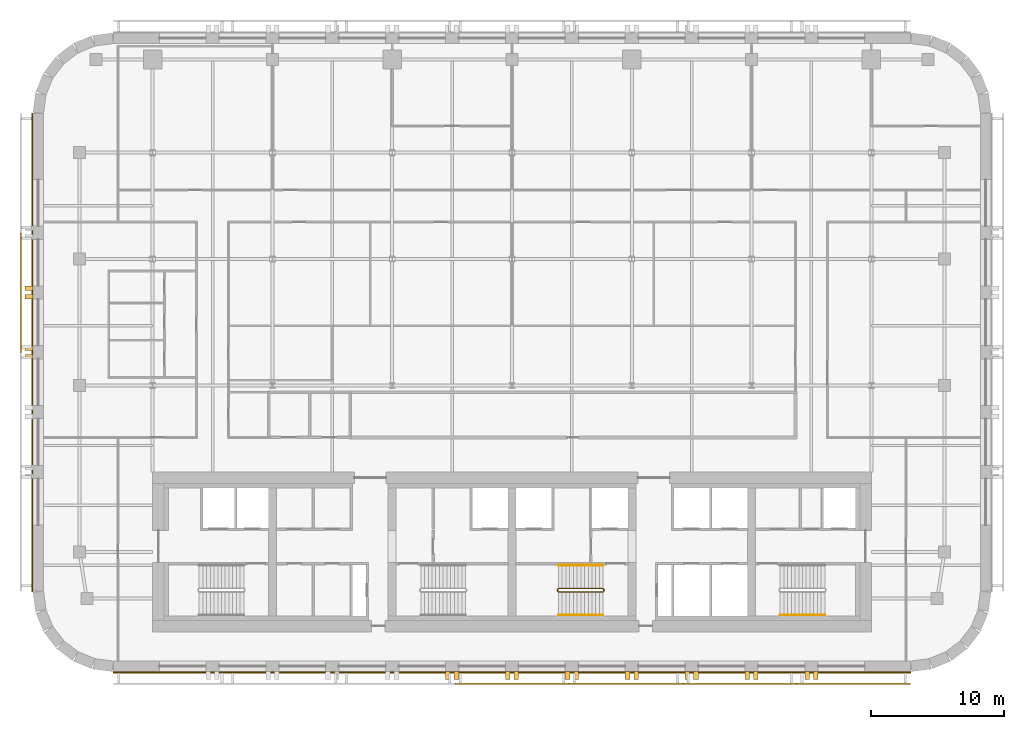
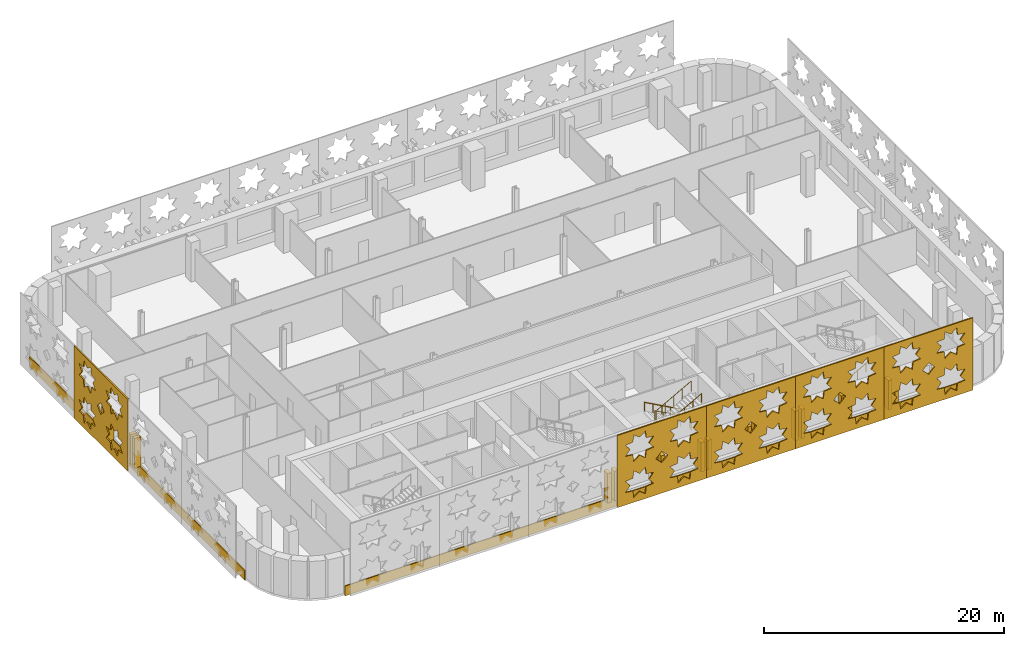
# One storey, part 10 of 12: 25 coverings, 4 railings.
"""IFC4 building model written with IfcOpenShell, lengths in metres."""

from ifc_helpers import new_model, si_unit, direction, frame, origin, origin_2d, place, context, subcontext, project, spatial, polyline, circle, outline, extrude, material, layer, layer_set, type_object, element, save


model = new_model("IFC4")

# Units and contexts
model_context = context("Model", 3, precision=1e-05, world=origin(), true_north=direction((0.0, 1.0)))
body_context = subcontext(model_context, "Body", "Model", "MODEL_VIEW")
ifc_project = project(units=[si_unit("LENGTHUNIT", "METRE"), si_unit("AREAUNIT", "SQUARE_METRE"), si_unit("VOLUMEUNIT", "CUBIC_METRE"), si_unit("PLANEANGLEUNIT", "RADIAN"), si_unit("MASSUNIT", "GRAM", prefix="KILO")], contexts=[model_context])

# Site, building, storey
site_placement = place(None, origin())
site = spatial("IfcSite", under=ifc_project, at=site_placement, CompositionType="ELEMENT")
building_placement = place(site_placement, origin())
building = spatial("IfcBuilding", under=site, at=building_placement, Name="Zellij Exchange Tower", CompositionType="ELEMENT")
storey_placement = place(building_placement, frame((0.0, 0.0, 180.5)))
storey = spatial("IfcBuildingStorey", under=building, at=storey_placement, Name="L41", CompositionType="ELEMENT", Elevation=180.5)

# Railings
ifc_material_1 = material(Name="Stainless steel", Category="steel")
railing_type_1 = type_object("IfcRailingType", Name="CORE-RG stair guard", PredefinedType="GUARDRAIL", material=ifc_material_1)
railing_1_placement = place(storey_placement, frame((6.89990234375, -10.800048828125, 0.0)))
element("IfcRailing", 1, at=railing_1_placement, inside=storey, type_object=railing_type_1, Name="ST3 stair guard L41", PredefinedType="GUARDRAIL", context=body_context, shape_type="SweptSolid", body=[
    extrude(circle(Radius=0.02392578125, at=origin_2d()), frame((0.0, 0.0, 1.076171875), z_axis=(0.0, -1.0, 0.0), x_axis=(1.0, 0.0, 0.0)), (0.0, 0.0, 1.0), 0.14990234375),
    extrude(circle(Radius=0.02392578125, at=origin_2d()), frame((0.0, -0.14990234375, 1.076171875), z_axis=(-0.193691321961, 0.777613689637, 0.598164376644), x_axis=(-0.970351222016, -0.241699205484, 0.0)), (0.0, 0.0, 1.0), 0.257080078125),
    extrude(circle(Radius=0.02392578125, at=origin_2d()), frame((-0.0498046875, 0.050048828125, 1.22998046875), z_axis=(-0.876421534553, 0.0, 0.481544695509), x_axis=(0.0, -1.0, 0.0)), (0.0, 0.0, 1.0), 3.833984375),
    extrude(circle(Radius=0.02392578125, at=origin_2d()), frame((-3.409912109375, 0.050048828125, 3.076171875), z_axis=(-0.707106781187, -0.707106781187, 0.0), x_axis=(0.707106781187, -0.707106781187, 0.0)), (0.0, 0.0, 1.0), 0.07080078125),
    extrude(circle(Radius=0.02392578125, at=origin_2d()), frame((-3.4599609375, 0.0, 3.076171875), z_axis=(0.0, -1.0, 0.0), x_axis=(1.0, 0.0, 0.0)), (0.0, 0.0, 1.0), 0.14990234375),
    extrude(circle(Radius=0.02392578125, at=origin_2d()), frame((-3.4599609375, -0.14990234375, 3.076171875), z_axis=(0.295599637079, -0.295599637079, 0.908428152975), x_axis=(0.707106781187, 0.707106781187, 0.0)), (0.0, 0.0, 1.0), 0.16943359375),
    extrude(circle(Radius=0.02392578125, at=origin_2d()), frame((-3.409912109375, -0.199951171875, 3.22998046875), z_axis=(0.876421534553, 0.0, 0.481544695509), x_axis=(0.0, 1.0, 0.0)), (0.0, 0.0, 1.0), 3.833984375),
    extrude(circle(Radius=0.02099609375, at=origin_2d()), origin(), (0.0, 0.0, 1.0), 1.052001953125),
    extrude(circle(Radius=0.02099609375, at=origin_2d()), frame((0.0, -0.14990234375, 0.0)), (0.0, 0.0, 1.0), 1.052001953125),
    extrude(circle(Radius=0.02099609375, at=origin_2d()), frame((-0.0498046875, 0.050048828125, 0.15380859375)), (0.0, 0.0, 1.0), 1.052001953125),
    extrude(circle(Radius=0.02099609375, at=origin_2d()), frame((-0.889892578125, 0.050048828125, 0.615234375)), (0.0, 0.0, 1.0), 1.052001953125),
    extrude(circle(Radius=0.02099609375, at=origin_2d()), frame((-1.72998046875, 0.050048828125, 1.076904296875)), (0.0, 0.0, 1.0), 1.052001953125),
    extrude(circle(Radius=0.02099609375, at=origin_2d()), frame((-2.56982421875, 0.050048828125, 1.53857421875)), (0.0, 0.0, 1.0), 1.052001953125),
    extrude(circle(Radius=0.02099609375, at=origin_2d()), frame((-3.409912109375, 0.050048828125, 2.0)), (0.0, 0.0, 1.0), 1.052001953125),
    extrude(circle(Radius=0.02099609375, at=origin_2d()), frame((-3.4599609375, 0.0, 2.0)), (0.0, 0.0, 1.0), 1.052001953125),
    extrude(circle(Radius=0.02099609375, at=origin_2d()), frame((-3.4599609375, -0.14990234375, 2.0)), (0.0, 0.0, 1.0), 1.052001953125),
    extrude(circle(Radius=0.02099609375, at=origin_2d()), frame((-3.409912109375, -0.199951171875, 2.15380859375)), (0.0, 0.0, 1.0), 1.052001953125),
    extrude(circle(Radius=0.02099609375, at=origin_2d()), frame((-2.56982421875, -0.199951171875, 2.615234375)), (0.0, 0.0, 1.0), 1.052001953125),
    extrude(circle(Radius=0.02099609375, at=origin_2d()), frame((-1.72998046875, -0.199951171875, 3.076904296875)), (0.0, 0.0, 1.0), 1.052001953125),
    extrude(circle(Radius=0.02099609375, at=origin_2d()), frame((-0.889892578125, -0.199951171875, 3.53857421875)), (0.0, 0.0, 1.0), 1.052001953125),
    extrude(circle(Radius=0.02099609375, at=origin_2d()), frame((-0.0498046875, -0.199951171875, 4.0)), (0.0, 0.0, 1.0), 1.052001953125),
])
railing_type_2 = type_object("IfcRailingType", Name="CORE-RH stair handrail", PredefinedType="HANDRAIL", material=ifc_material_1)
railing_2_placement = place(storey_placement, frame((6.85009765625, -9.0, 0.15380859375)))
element("IfcRailing", 2, at=railing_2_placement, inside=storey, type_object=railing_type_2, Name="ST3 stair handrail L41", PredefinedType="HANDRAIL", context=body_context, shape_type="SweptSolid", body=[
    extrude(circle(Radius=0.02392578125, at=origin_2d()), frame((0.0, 0.0, 0.8759765625), z_axis=(-0.876421534553, 0.0, 0.481544695509), x_axis=(0.0, -1.0, 0.0)), (0.0, 0.0, 1.0), 3.833984375),
    extrude(circle(Radius=0.02099609375, at=origin_2d()), origin(), (0.0, 0.0, 1.0), 0.851806640625),
    extrude(circle(Radius=0.02099609375, at=origin_2d()), frame((-0.840087890625, 0.0, 0.46142578125)), (0.0, 0.0, 1.0), 0.851806640625),
    extrude(circle(Radius=0.02099609375, at=origin_2d()), frame((-1.68017578125, 0.0, 0.923095703125)), (0.0, 0.0, 1.0), 0.851806640625),
    extrude(circle(Radius=0.02099609375, at=origin_2d()), frame((-2.52001953125, 0.0, 1.384765625)), (0.0, 0.0, 1.0), 0.851806640625),
    extrude(circle(Radius=0.02099609375, at=origin_2d()), frame((-3.360107421875, 0.0, 1.84619140625)), (0.0, 0.0, 1.0), 0.851806640625),
])
for number, where, name in (
    (3, (3.489990234375, -12.75, 2.15380859375), "ST3 stair handrail L41"),
    (4, (20.14990234375, -12.75, 0.15380859375), "ST4 stair handrail L41"),
):
    element("IfcRailing", number, at=place(storey_placement, frame(where)), inside=storey, type_object=railing_type_2, Name=name, PredefinedType="HANDRAIL", context=body_context, shape_type="SweptSolid", body=[
        extrude(circle(Radius=0.02392578125, at=origin_2d()), frame((0.0, 0.0, 0.8759765625), z_axis=(0.876421534553, 0.0, 0.481544695509), x_axis=(0.0, 1.0, 0.0)), (0.0, 0.0, 1.0), 3.833984375),
        extrude(circle(Radius=0.02099609375, at=origin_2d()), origin(), (0.0, 0.0, 1.0), 0.851806640625),
        extrude(circle(Radius=0.02099609375, at=origin_2d()), frame((0.840087890625, 0.0, 0.46142578125)), (0.0, 0.0, 1.0), 0.851806640625),
        extrude(circle(Radius=0.02099609375, at=origin_2d()), frame((1.68017578125, 0.0, 0.923095703125)), (0.0, 0.0, 1.0), 0.851806640625),
        extrude(circle(Radius=0.02099609375, at=origin_2d()), frame((2.52001953125, 0.0, 1.384765625)), (0.0, 0.0, 1.0), 0.851806640625),
        extrude(circle(Radius=0.02099609375, at=origin_2d()), frame((3.360107421875, 0.0, 1.84619140625)), (0.0, 0.0, 1.0), 0.851806640625),
    ])

# Coverings
ifc_material_2 = material(Name="Limestone cladding", Category="masonry")
covering_type_1 = type_object("IfcCoveringType", Name="ENV-CV3 Stone pier 350x600", PredefinedType="CLADDING", material=ifc_material_2)
covering_1_placement = place(storey_placement, frame((0.0, 0.0, 0.800048828125)))
element("IfcCovering", 5, at=covering_1_placement, inside=storey, type_object=covering_type_1, Name="Stone pier", PredefinedType="CLADDING", context=body_context, shape_type="SweptSolid", body=[
    extrude(outline(polyline([(-5.0, -17.0), (-4.64990234375, -17.0), (-4.64990234375, -17.60009765625), (-5.0, -17.60009765625), (-5.0, -17.0)])), origin(), (0.0, 0.0, 1.0), 3.0),
])
covering_2_placement = place(storey_placement, frame((0.0, 0.0, 0.800048828125)))
element("IfcCovering", 6, at=covering_2_placement, inside=storey, type_object=covering_type_1, Name="Stone pier", PredefinedType="CLADDING", context=body_context, shape_type="SweptSolid", body=[
    extrude(outline(polyline([(-4.35009765625, -17.0), (-4.0, -17.0), (-4.0, -17.60009765625), (-4.35009765625, -17.60009765625), (-4.35009765625, -17.0)])), origin(), (0.0, 0.0, 1.0), 3.0),
])
covering_3_placement = place(storey_placement, frame((0.0, 0.0, 0.800048828125)))
element("IfcCovering", 7, at=covering_3_placement, inside=storey, type_object=covering_type_1, Name="Stone pier", PredefinedType="CLADDING", context=body_context, shape_type="SweptSolid", body=[
    extrude(outline(polyline([(-0.5, -17.0), (-0.14990234375, -17.0), (-0.14990234375, -17.60009765625), (-0.5, -17.60009765625), (-0.5, -17.0)])), origin(), (0.0, 0.0, 1.0), 3.0),
])
covering_4_placement = place(storey_placement, frame((0.0, 0.0, 0.800048828125)))
element("IfcCovering", 8, at=covering_4_placement, inside=storey, type_object=covering_type_1, Name="Stone pier", PredefinedType="CLADDING", context=body_context, shape_type="SweptSolid", body=[
    extrude(outline(polyline([(0.14990234375, -17.0), (0.5, -17.0), (0.5, -17.60009765625), (0.14990234375, -17.60009765625), (0.14990234375, -17.0)])), origin(), (0.0, 0.0, 1.0), 3.0),
])
covering_5_placement = place(storey_placement, frame((0.0, 0.0, 0.800048828125)))
element("IfcCovering", 9, at=covering_5_placement, inside=storey, type_object=covering_type_1, Name="Stone pier", PredefinedType="CLADDING", context=body_context, shape_type="SweptSolid", body=[
    extrude(outline(polyline([(4.0, -17.0), (4.35009765625, -17.0), (4.35009765625, -17.60009765625), (4.0, -17.60009765625), (4.0, -17.0)])), origin(), (0.0, 0.0, 1.0), 3.0),
])
covering_6_placement = place(storey_placement, frame((0.0, 0.0, 0.800048828125)))
element("IfcCovering", 10, at=covering_6_placement, inside=storey, type_object=covering_type_1, Name="Stone pier", PredefinedType="CLADDING", context=body_context, shape_type="SweptSolid", body=[
    extrude(outline(polyline([(4.64990234375, -17.0), (5.0, -17.0), (5.0, -17.60009765625), (4.64990234375, -17.60009765625), (4.64990234375, -17.0)])), origin(), (0.0, 0.0, 1.0), 3.0),
])
covering_7_placement = place(storey_placement, frame((0.0, 0.0, 0.800048828125)))
element("IfcCovering", 11, at=covering_7_placement, inside=storey, type_object=covering_type_1, Name="Stone pier", PredefinedType="CLADDING", context=body_context, shape_type="SweptSolid", body=[
    extrude(outline(polyline([(8.5, -17.0), (8.85009765625, -17.0), (8.85009765625, -17.60009765625), (8.5, -17.60009765625), (8.5, -17.0)])), origin(), (0.0, 0.0, 1.0), 3.0),
])
covering_8_placement = place(storey_placement, frame((0.0, 0.0, 0.800048828125)))
element("IfcCovering", 12, at=covering_8_placement, inside=storey, type_object=covering_type_1, Name="Stone pier", PredefinedType="CLADDING", context=body_context, shape_type="SweptSolid", body=[
    extrude(outline(polyline([(9.14990234375, -17.0), (9.5, -17.0), (9.5, -17.60009765625), (9.14990234375, -17.60009765625), (9.14990234375, -17.0)])), origin(), (0.0, 0.0, 1.0), 3.0),
])
covering_9_placement = place(storey_placement, frame((0.0, 0.0, 0.800048828125)))
element("IfcCovering", 13, at=covering_9_placement, inside=storey, type_object=covering_type_1, Name="Stone pier", PredefinedType="CLADDING", context=body_context, shape_type="SweptSolid", body=[
    extrude(outline(polyline([(13.0, -17.0), (13.35009765625, -17.0), (13.35009765625, -17.60009765625), (13.0, -17.60009765625), (13.0, -17.0)])), origin(), (0.0, 0.0, 1.0), 3.0),
])
covering_10_placement = place(storey_placement, frame((0.0, 0.0, 0.800048828125)))
element("IfcCovering", 14, at=covering_10_placement, inside=storey, type_object=covering_type_1, Name="Stone pier", PredefinedType="CLADDING", context=body_context, shape_type="SweptSolid", body=[
    extrude(outline(polyline([(13.64990234375, -17.0), (14.0, -17.0), (14.0, -17.60009765625), (13.64990234375, -17.60009765625), (13.64990234375, -17.0)])), origin(), (0.0, 0.0, 1.0), 3.0),
])
covering_11_placement = place(storey_placement, frame((0.0, 0.0, 0.800048828125)))
element("IfcCovering", 15, at=covering_11_placement, inside=storey, type_object=covering_type_1, Name="Stone pier", PredefinedType="CLADDING", context=body_context, shape_type="SweptSolid", body=[
    extrude(outline(polyline([(17.5, -17.0), (17.85009765625, -17.0), (17.85009765625, -17.60009765625), (17.5, -17.60009765625), (17.5, -17.0)])), origin(), (0.0, 0.0, 1.0), 3.0),
])
covering_12_placement = place(storey_placement, frame((0.0, 0.0, 0.800048828125)))
element("IfcCovering", 16, at=covering_12_placement, inside=storey, type_object=covering_type_1, Name="Stone pier", PredefinedType="CLADDING", context=body_context, shape_type="SweptSolid", body=[
    extrude(outline(polyline([(18.14990234375, -17.0), (18.5, -17.0), (18.5, -17.60009765625), (18.14990234375, -17.60009765625), (18.14990234375, -17.0)])), origin(), (0.0, 0.0, 1.0), 3.0),
])
covering_13_placement = place(storey_placement, frame((0.0, 0.0, 0.800048828125)))
element("IfcCovering", 17, at=covering_13_placement, inside=storey, type_object=covering_type_1, Name="Stone pier", PredefinedType="CLADDING", context=body_context, shape_type="SweptSolid", body=[
    extrude(outline(polyline([(22.0, -17.0), (22.35009765625, -17.0), (22.35009765625, -17.60009765625), (22.0, -17.60009765625), (22.0, -17.0)])), origin(), (0.0, 0.0, 1.0), 3.0),
])
covering_14_placement = place(storey_placement, frame((0.0, 0.0, 0.800048828125)))
element("IfcCovering", 18, at=covering_14_placement, inside=storey, type_object=covering_type_1, Name="Stone pier", PredefinedType="CLADDING", context=body_context, shape_type="SweptSolid", body=[
    extrude(outline(polyline([(22.64990234375, -17.0), (23.0, -17.0), (23.0, -17.60009765625), (22.64990234375, -17.60009765625), (22.64990234375, -17.0)])), origin(), (0.0, 0.0, 1.0), 3.0),
])
covering_15_placement = place(storey_placement, frame((0.0, 0.0, 0.800048828125)))
element("IfcCovering", 19, at=covering_15_placement, inside=storey, type_object=covering_type_1, Name="Stone pier", PredefinedType="CLADDING", context=body_context, shape_type="SweptSolid", body=[
    extrude(outline(polyline([(-36.0, 11.993408203125), (-36.0, 11.6435546875), (-36.60009765625, 11.6435546875), (-36.60009765625, 11.993408203125), (-36.0, 11.993408203125)])), origin(), (0.0, 0.0, 1.0), 3.0),
])
covering_16_placement = place(storey_placement, frame((0.0, 0.0, 0.800048828125)))
element("IfcCovering", 20, at=covering_16_placement, inside=storey, type_object=covering_type_1, Name="Stone pier", PredefinedType="CLADDING", context=body_context, shape_type="SweptSolid", body=[
    extrude(outline(polyline([(-36.0, 11.343505859375), (-36.0, 10.993408203125), (-36.60009765625, 10.993408203125), (-36.60009765625, 11.343505859375), (-36.0, 11.343505859375)])), origin(), (0.0, 0.0, 1.0), 3.0),
])
covering_17_placement = place(storey_placement, frame((0.0, 0.0, 0.800048828125)))
element("IfcCovering", 21, at=covering_17_placement, inside=storey, type_object=covering_type_1, Name="Stone pier", PredefinedType="CLADDING", context=body_context, shape_type="SweptSolid", body=[
    extrude(outline(polyline([(-36.0, 7.5), (-36.0, 7.14990234375), (-36.60009765625, 7.14990234375), (-36.60009765625, 7.5), (-36.0, 7.5)])), origin(), (0.0, 0.0, 1.0), 3.0),
])
covering_18_placement = place(storey_placement, frame((0.0, 0.0, 0.800048828125)))
element("IfcCovering", 22, at=covering_18_placement, inside=storey, type_object=covering_type_1, Name="Stone pier", PredefinedType="CLADDING", context=body_context, shape_type="SweptSolid", body=[
    extrude(outline(polyline([(-36.0, 6.85009765625), (-36.0, 6.5), (-36.60009765625, 6.5), (-36.60009765625, 6.85009765625), (-36.0, 6.85009765625)])), origin(), (0.0, 0.0, 1.0), 3.0),
])
ifc_layer_1 = layer(ifc_material_2, 0.10009765625)
ifc_layer_set_1 = layer_set([ifc_layer_1], Name="Limestone cladding")
covering_type_2 = type_object("IfcCoveringType", Name="ENV-CV9 Stone spandrel band 100", PredefinedType="CLADDING", material=ifc_layer_set_1)
covering_19_placement = place(storey_placement, frame((0.0, 0.0, -0.199951171875)))
element("IfcCovering", 23, at=covering_19_placement, inside=storey, type_object=covering_type_2, Name="Stone spandrel band", PredefinedType="CLADDING", context=body_context, shape_type="SweptSolid", body=[
    extrude(outline(polyline([(-29.973876953125, -17.0), (29.973876953125, -17.0), (29.980224609375, -17.10009765625), (-29.980224609375, -17.10009765625), (-29.973876953125, -17.0)])), origin(), (0.0, 0.0, 1.0), 1.0),
])
covering_20_placement = place(storey_placement, frame((0.0, 0.0, -0.199951171875)))
element("IfcCovering", 24, at=covering_20_placement, inside=storey, type_object=covering_type_2, Name="Stone spandrel band", PredefinedType="CLADDING", context=body_context, shape_type="SweptSolid", body=[
    extrude(outline(polyline([(-36.0, 24.973876953125), (-36.0, -10.973876953125), (-36.10009765625, -10.980224609375), (-36.10009765625, 24.980224609375), (-36.0, 24.973876953125)])), origin(), (0.0, 0.0, 1.0), 1.0),
])
ifc_material_3 = material(Name="Limestone screen", Category="masonry")
ifc_layer_2 = layer(ifc_material_3, 0.1201171875)
ifc_layer_set_2 = layer_set([ifc_layer_2], Name="Limestone screen")
covering_type_3 = type_object("IfcCoveringType", Name="ENV-SC1 Pierced stone screen 120", PredefinedType="USERDEFINED", material=ifc_layer_set_2)
covering_21_placement = place(storey_placement, frame((-36.909912109375, 15.973876953125, 0.300048828125), z_axis=(0.0, 0.0, 1.0), x_axis=(0.0, -1.0, 0.0)))
element("IfcCovering", 25, at=covering_21_placement, inside=storey, type_object=covering_type_3, Name="Pierced stone screen", ObjectType="SCREEN", PredefinedType="USERDEFINED", context=body_context, shape_type="SweptSolid", body=[
    extrude(outline(polyline([(0.0, 0.0), (8.973876953125, 0.0), (8.973876953125, 7.35009765625), (0.0, 7.35009765625), (0.0, 0.0)]), holes=[polyline([(3.6015625, 2.39990234375), (2.887939453125, 2.48193359375), (2.805908203125, 3.195556640625), (2.243408203125, 2.748779296875), (1.680908203125, 3.195556640625), (1.59912109375, 2.48193359375), (0.88525390625, 2.39990234375), (1.33203125, 1.83740234375), (0.88525390625, 1.27490234375), (1.59912109375, 1.193115234375), (1.680908203125, 0.4794921875), (2.243408203125, 0.926025390625), (2.805908203125, 0.4794921875), (2.887939453125, 1.193115234375), (3.6015625, 1.27490234375), (3.15478515625, 1.83740234375), (3.6015625, 2.39990234375)]), polyline([(3.6015625, 6.074951171875), (2.887939453125, 6.156982421875), (2.805908203125, 6.87060546875), (2.243408203125, 6.423828125), (1.680908203125, 6.87060546875), (1.59912109375, 6.156982421875), (0.88525390625, 6.074951171875), (1.33203125, 5.512451171875), (0.88525390625, 4.949951171875), (1.59912109375, 4.867919921875), (1.680908203125, 4.154296875), (2.243408203125, 4.60107421875), (2.805908203125, 4.154296875), (2.887939453125, 4.867919921875), (3.6015625, 4.949951171875), (3.15478515625, 5.512451171875), (3.6015625, 6.074951171875)]), polyline([(8.08837890625, 2.39990234375), (7.374755859375, 2.48193359375), (7.29296875, 3.195556640625), (6.730224609375, 2.748779296875), (6.167724609375, 3.195556640625), (6.0859375, 2.48193359375), (5.372314453125, 2.39990234375), (5.81884765625, 1.83740234375), (5.372314453125, 1.27490234375), (6.0859375, 1.193115234375), (6.167724609375, 0.4794921875), (6.730224609375, 0.926025390625), (7.29296875, 0.4794921875), (7.374755859375, 1.193115234375), (8.08837890625, 1.27490234375), (7.6416015625, 1.83740234375), (8.08837890625, 2.39990234375)]), polyline([(8.08837890625, 6.074951171875), (7.374755859375, 6.156982421875), (7.29296875, 6.87060546875), (6.730224609375, 6.423828125), (6.167724609375, 6.87060546875), (6.0859375, 6.156982421875), (5.372314453125, 6.074951171875), (5.81884765625, 5.512451171875), (5.372314453125, 4.949951171875), (6.0859375, 4.867919921875), (6.167724609375, 4.154296875), (6.730224609375, 4.60107421875), (7.29296875, 4.154296875), (7.374755859375, 4.867919921875), (8.08837890625, 4.949951171875), (7.6416015625, 5.512451171875), (8.08837890625, 6.074951171875)]), polyline([(5.074951171875, 3.675048828125), (4.48681640625, 4.262939453125), (3.89892578125, 3.675048828125), (4.48681640625, 3.0869140625), (5.074951171875, 3.675048828125)])]), frame((0.0, 0.06005859375, 0.0), z_axis=(0.0, -1.0, 0.0), x_axis=(1.0, 0.0, 0.0)), (0.0, 0.0, 1.0), 0.1201171875),
])
covering_22_placement = place(storey_placement, frame((-4.2783203125, -17.909912109375, 0.300048828125), z_axis=(0.0, 0.0, 1.0), x_axis=(1.0, 0.0, 0.0)))
element("IfcCovering", 26, at=covering_22_placement, inside=storey, type_object=covering_type_3, Name="Pierced stone screen", ObjectType="SCREEN", PredefinedType="USERDEFINED", context=body_context, shape_type="SweptSolid", body=[
    extrude(outline(polyline([(0.0, 0.0), (8.556396484375, 0.0), (8.556396484375, 7.35009765625), (0.0, 7.35009765625), (0.0, 0.0)]), holes=[polyline([(3.497314453125, 2.39990234375), (2.78369140625, 2.48193359375), (2.70166015625, 3.195556640625), (2.13916015625, 2.748779296875), (1.57666015625, 3.195556640625), (1.49462890625, 2.48193359375), (0.781005859375, 2.39990234375), (1.227783203125, 1.83740234375), (0.781005859375, 1.27490234375), (1.49462890625, 1.193115234375), (1.57666015625, 0.4794921875), (2.13916015625, 0.926025390625), (2.70166015625, 0.4794921875), (2.78369140625, 1.193115234375), (3.497314453125, 1.27490234375), (3.050537109375, 1.83740234375), (3.497314453125, 2.39990234375)]), polyline([(3.497314453125, 6.074951171875), (2.78369140625, 6.156982421875), (2.70166015625, 6.87060546875), (2.13916015625, 6.423828125), (1.57666015625, 6.87060546875), (1.49462890625, 6.156982421875), (0.781005859375, 6.074951171875), (1.227783203125, 5.512451171875), (0.781005859375, 4.949951171875), (1.49462890625, 4.867919921875), (1.57666015625, 4.154296875), (2.13916015625, 4.60107421875), (2.70166015625, 4.154296875), (2.78369140625, 4.867919921875), (3.497314453125, 4.949951171875), (3.050537109375, 5.512451171875), (3.497314453125, 6.074951171875)]), polyline([(7.775390625, 2.39990234375), (7.061767578125, 2.48193359375), (6.97998046875, 3.195556640625), (6.417236328125, 2.748779296875), (5.854736328125, 3.195556640625), (5.77294921875, 2.48193359375), (5.05908203125, 2.39990234375), (5.505859375, 1.83740234375), (5.05908203125, 1.27490234375), (5.77294921875, 1.193115234375), (5.854736328125, 0.4794921875), (6.417236328125, 0.926025390625), (6.97998046875, 0.4794921875), (7.061767578125, 1.193115234375), (7.775390625, 1.27490234375), (7.32861328125, 1.83740234375), (7.775390625, 2.39990234375)]), polyline([(7.775390625, 6.074951171875), (7.061767578125, 6.156982421875), (6.97998046875, 6.87060546875), (6.417236328125, 6.423828125), (5.854736328125, 6.87060546875), (5.77294921875, 6.156982421875), (5.05908203125, 6.074951171875), (5.505859375, 5.512451171875), (5.05908203125, 4.949951171875), (5.77294921875, 4.867919921875), (5.854736328125, 4.154296875), (6.417236328125, 4.60107421875), (6.97998046875, 4.154296875), (7.061767578125, 4.867919921875), (7.775390625, 4.949951171875), (7.32861328125, 5.512451171875), (7.775390625, 6.074951171875)]), polyline([(4.8662109375, 3.675048828125), (4.2783203125, 4.262939453125), (3.690185546875, 3.675048828125), (4.2783203125, 3.0869140625), (4.8662109375, 3.675048828125)])]), frame((0.0, 0.06005859375, 0.0), z_axis=(0.0, -1.0, 0.0), x_axis=(1.0, 0.0, 0.0)), (0.0, 0.0, 1.0), 0.1201171875),
])
covering_23_placement = place(storey_placement, frame((4.2783203125, -17.909912109375, 0.300048828125), z_axis=(0.0, 0.0, 1.0), x_axis=(1.0, 0.0, 0.0)))
element("IfcCovering", 27, at=covering_23_placement, inside=storey, type_object=covering_type_3, Name="Pierced stone screen", ObjectType="SCREEN", PredefinedType="USERDEFINED", context=body_context, shape_type="SweptSolid", body=[
    extrude(outline(polyline([(0.0, 0.0), (8.556396484375, 0.0), (8.556396484375, 7.35009765625), (0.0, 7.35009765625), (0.0, 0.0)]), holes=[polyline([(3.497314453125, 2.39990234375), (2.78369140625, 2.48193359375), (2.70166015625, 3.195556640625), (2.13916015625, 2.748779296875), (1.57666015625, 3.195556640625), (1.49462890625, 2.48193359375), (0.781005859375, 2.39990234375), (1.227783203125, 1.83740234375), (0.781005859375, 1.27490234375), (1.49462890625, 1.193115234375), (1.57666015625, 0.4794921875), (2.13916015625, 0.926025390625), (2.70166015625, 0.4794921875), (2.78369140625, 1.193115234375), (3.497314453125, 1.27490234375), (3.050537109375, 1.83740234375), (3.497314453125, 2.39990234375)]), polyline([(3.497314453125, 6.074951171875), (2.78369140625, 6.156982421875), (2.70166015625, 6.87060546875), (2.13916015625, 6.423828125), (1.57666015625, 6.87060546875), (1.49462890625, 6.156982421875), (0.781005859375, 6.074951171875), (1.227783203125, 5.512451171875), (0.781005859375, 4.949951171875), (1.49462890625, 4.867919921875), (1.57666015625, 4.154296875), (2.13916015625, 4.60107421875), (2.70166015625, 4.154296875), (2.78369140625, 4.867919921875), (3.497314453125, 4.949951171875), (3.050537109375, 5.512451171875), (3.497314453125, 6.074951171875)]), polyline([(7.775390625, 2.39990234375), (7.061767578125, 2.48193359375), (6.97998046875, 3.195556640625), (6.417236328125, 2.748779296875), (5.854736328125, 3.195556640625), (5.77294921875, 2.48193359375), (5.05908203125, 2.39990234375), (5.505859375, 1.83740234375), (5.05908203125, 1.27490234375), (5.77294921875, 1.193115234375), (5.854736328125, 0.4794921875), (6.417236328125, 0.926025390625), (6.97998046875, 0.4794921875), (7.061767578125, 1.193115234375), (7.775390625, 1.27490234375), (7.32861328125, 1.83740234375), (7.775390625, 2.39990234375)]), polyline([(7.775390625, 6.074951171875), (7.061767578125, 6.156982421875), (6.97998046875, 6.87060546875), (6.417236328125, 6.423828125), (5.854736328125, 6.87060546875), (5.77294921875, 6.156982421875), (5.05908203125, 6.074951171875), (5.505859375, 5.512451171875), (5.05908203125, 4.949951171875), (5.77294921875, 4.867919921875), (5.854736328125, 4.154296875), (6.417236328125, 4.60107421875), (6.97998046875, 4.154296875), (7.061767578125, 4.867919921875), (7.775390625, 4.949951171875), (7.32861328125, 5.512451171875), (7.775390625, 6.074951171875)]), polyline([(4.8662109375, 3.675048828125), (4.2783203125, 4.262939453125), (3.690185546875, 3.675048828125), (4.2783203125, 3.0869140625), (4.8662109375, 3.675048828125)])]), frame((0.0, 0.06005859375, 0.0), z_axis=(0.0, -1.0, 0.0), x_axis=(1.0, 0.0, 0.0)), (0.0, 0.0, 1.0), 0.1201171875),
])
covering_24_placement = place(storey_placement, frame((12.834716796875, -17.909912109375, 0.300048828125), z_axis=(0.0, 0.0, 1.0), x_axis=(1.0, 0.0, 0.0)))
element("IfcCovering", 28, at=covering_24_placement, inside=storey, type_object=covering_type_3, Name="Pierced stone screen", ObjectType="SCREEN", PredefinedType="USERDEFINED", context=body_context, shape_type="SweptSolid", body=[
    extrude(outline(polyline([(0.0, 0.0), (8.556396484375, 0.0), (8.556396484375, 7.35009765625), (0.0, 7.35009765625), (0.0, 0.0)]), holes=[polyline([(3.497314453125, 2.39990234375), (2.78369140625, 2.48193359375), (2.70166015625, 3.195556640625), (2.13916015625, 2.748779296875), (1.57666015625, 3.195556640625), (1.49462890625, 2.48193359375), (0.781005859375, 2.39990234375), (1.227783203125, 1.83740234375), (0.781005859375, 1.27490234375), (1.49462890625, 1.193115234375), (1.57666015625, 0.4794921875), (2.13916015625, 0.926025390625), (2.70166015625, 0.4794921875), (2.78369140625, 1.193115234375), (3.497314453125, 1.27490234375), (3.050537109375, 1.83740234375), (3.497314453125, 2.39990234375)]), polyline([(3.497314453125, 6.074951171875), (2.78369140625, 6.156982421875), (2.70166015625, 6.87060546875), (2.13916015625, 6.423828125), (1.57666015625, 6.87060546875), (1.49462890625, 6.156982421875), (0.781005859375, 6.074951171875), (1.227783203125, 5.512451171875), (0.781005859375, 4.949951171875), (1.49462890625, 4.867919921875), (1.57666015625, 4.154296875), (2.13916015625, 4.60107421875), (2.70166015625, 4.154296875), (2.78369140625, 4.867919921875), (3.497314453125, 4.949951171875), (3.050537109375, 5.512451171875), (3.497314453125, 6.074951171875)]), polyline([(7.775390625, 2.39990234375), (7.061767578125, 2.48193359375), (6.97998046875, 3.195556640625), (6.417236328125, 2.748779296875), (5.854736328125, 3.195556640625), (5.77294921875, 2.48193359375), (5.05908203125, 2.39990234375), (5.505859375, 1.83740234375), (5.05908203125, 1.27490234375), (5.77294921875, 1.193115234375), (5.854736328125, 0.4794921875), (6.417236328125, 0.926025390625), (6.97998046875, 0.4794921875), (7.061767578125, 1.193115234375), (7.775390625, 1.27490234375), (7.32861328125, 1.83740234375), (7.775390625, 2.39990234375)]), polyline([(7.775390625, 6.074951171875), (7.061767578125, 6.156982421875), (6.97998046875, 6.87060546875), (6.417236328125, 6.423828125), (5.854736328125, 6.87060546875), (5.77294921875, 6.156982421875), (5.05908203125, 6.074951171875), (5.505859375, 5.512451171875), (5.05908203125, 4.949951171875), (5.77294921875, 4.867919921875), (5.854736328125, 4.154296875), (6.417236328125, 4.60107421875), (6.97998046875, 4.154296875), (7.061767578125, 4.867919921875), (7.775390625, 4.949951171875), (7.32861328125, 5.512451171875), (7.775390625, 6.074951171875)]), polyline([(4.8662109375, 3.675048828125), (4.2783203125, 4.262939453125), (3.690185546875, 3.675048828125), (4.2783203125, 3.0869140625), (4.8662109375, 3.675048828125)])]), frame((0.0, 0.06005859375, 0.0), z_axis=(0.0, -1.0, 0.0), x_axis=(1.0, 0.0, 0.0)), (0.0, 0.0, 1.0), 0.1201171875),
])
covering_25_placement = place(storey_placement, frame((21.39111328125, -17.909912109375, 0.300048828125), z_axis=(0.0, 0.0, 1.0), x_axis=(1.0, 0.0, 0.0)))
element("IfcCovering", 29, at=covering_25_placement, inside=storey, type_object=covering_type_3, Name="Pierced stone screen", ObjectType="SCREEN", PredefinedType="USERDEFINED", context=body_context, shape_type="SweptSolid", body=[
    extrude(outline(polyline([(0.0, 0.0), (8.556396484375, 0.0), (8.556396484375, 7.35009765625), (0.0, 7.35009765625), (0.0, 0.0)]), holes=[polyline([(3.497314453125, 2.39990234375), (2.78369140625, 2.48193359375), (2.70166015625, 3.195556640625), (2.13916015625, 2.748779296875), (1.57666015625, 3.195556640625), (1.49462890625, 2.48193359375), (0.781005859375, 2.39990234375), (1.227783203125, 1.83740234375), (0.781005859375, 1.27490234375), (1.49462890625, 1.193115234375), (1.57666015625, 0.4794921875), (2.13916015625, 0.926025390625), (2.70166015625, 0.4794921875), (2.78369140625, 1.193115234375), (3.497314453125, 1.27490234375), (3.050537109375, 1.83740234375), (3.497314453125, 2.39990234375)]), polyline([(3.497314453125, 6.074951171875), (2.78369140625, 6.156982421875), (2.70166015625, 6.87060546875), (2.13916015625, 6.423828125), (1.57666015625, 6.87060546875), (1.49462890625, 6.156982421875), (0.781005859375, 6.074951171875), (1.227783203125, 5.512451171875), (0.781005859375, 4.949951171875), (1.49462890625, 4.867919921875), (1.57666015625, 4.154296875), (2.13916015625, 4.60107421875), (2.70166015625, 4.154296875), (2.78369140625, 4.867919921875), (3.497314453125, 4.949951171875), (3.050537109375, 5.512451171875), (3.497314453125, 6.074951171875)]), polyline([(7.775390625, 2.39990234375), (7.061767578125, 2.48193359375), (6.97998046875, 3.195556640625), (6.417236328125, 2.748779296875), (5.854736328125, 3.195556640625), (5.77294921875, 2.48193359375), (5.05908203125, 2.39990234375), (5.505859375, 1.83740234375), (5.05908203125, 1.27490234375), (5.77294921875, 1.193115234375), (5.854736328125, 0.4794921875), (6.417236328125, 0.926025390625), (6.97998046875, 0.4794921875), (7.061767578125, 1.193115234375), (7.775390625, 1.27490234375), (7.32861328125, 1.83740234375), (7.775390625, 2.39990234375)]), polyline([(7.775390625, 6.074951171875), (7.061767578125, 6.156982421875), (6.97998046875, 6.87060546875), (6.417236328125, 6.423828125), (5.854736328125, 6.87060546875), (5.77294921875, 6.156982421875), (5.05908203125, 6.074951171875), (5.505859375, 5.512451171875), (5.05908203125, 4.949951171875), (5.77294921875, 4.867919921875), (5.854736328125, 4.154296875), (6.417236328125, 4.60107421875), (6.97998046875, 4.154296875), (7.061767578125, 4.867919921875), (7.775390625, 4.949951171875), (7.32861328125, 5.512451171875), (7.775390625, 6.074951171875)]), polyline([(4.8662109375, 3.675048828125), (4.2783203125, 4.262939453125), (3.690185546875, 3.675048828125), (4.2783203125, 3.0869140625), (4.8662109375, 3.675048828125)])]), frame((0.0, 0.06005859375, 0.0), z_axis=(0.0, -1.0, 0.0), x_axis=(1.0, 0.0, 0.0)), (0.0, 0.0, 1.0), 0.1201171875),
])

save(model, "model.ifc")
